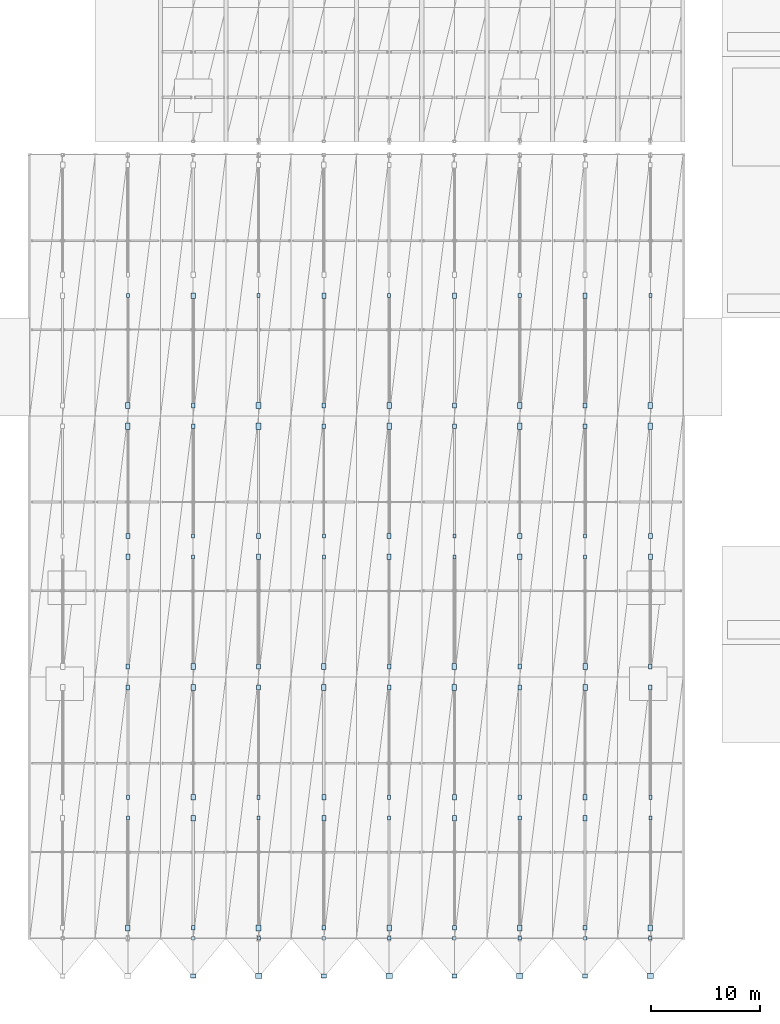
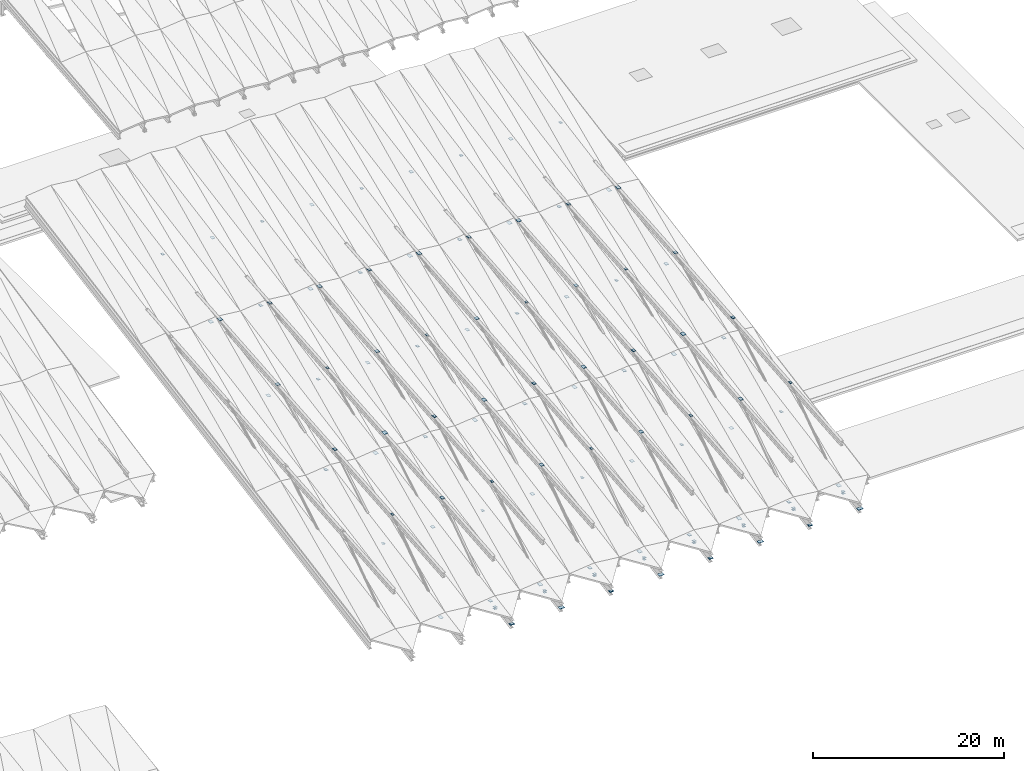
# One storey, part 26 of 52: 114 plates.
"""IFC4 building model written with IfcOpenShell, lengths in metres."""

from ifc_helpers import new_model, si_unit, direction, frame, origin, origin_2d, place, context, subcontext, project, spatial, rectangle, extrude, material, layer, layer_set, type_object, element, save


model = new_model("IFC4")

# Units and contexts
model_context = context("Model", 3, precision=1e-05, world=origin(), true_north=direction((0.0, 1.0)))
body_context = subcontext(model_context, "Body", "Model", "MODEL_VIEW")
ifc_project = project(units=[si_unit("LENGTHUNIT", "METRE"), si_unit("AREAUNIT", "SQUARE_METRE"), si_unit("VOLUMEUNIT", "CUBIC_METRE"), si_unit("PLANEANGLEUNIT", "RADIAN"), si_unit("MASSUNIT", "GRAM", prefix="KILO")], contexts=[model_context])

# Site, building, storey
site_placement = place(None, origin())
site = spatial("IfcSite", under=ifc_project, at=site_placement, CompositionType="ELEMENT")
building_placement = place(site_placement, origin())
building = spatial("IfcBuilding", under=site, at=building_placement, Name="Vaelkrest Opera House", CompositionType="ELEMENT")
storey_placement = place(building_placement, frame((0.0, 0.0, 41.39990234375)))
storey = spatial("IfcBuildingStorey", under=building, at=storey_placement, Name="ROOF", CompositionType="ELEMENT", Elevation=41.39990234375)

# Plates
ifc_material = material(Name="Steel A572 Gr50", Category="steel")
ifc_layer_1 = layer(ifc_material, 0.02392578125)
ifc_layer_set_1 = layer_set([ifc_layer_1], Name="Steel A572 Gr50")
plate_type_1 = type_object("IfcPlateType", Name="GP02", PredefinedType="USERDEFINED", material=ifc_layer_set_1)
for number, where, z_axis, x_axis, name in (
    (1, (-15.0, -59.280029296875, -17.36083984375), (0.0, 0.0, 1.0), (1.0, 0.0, 0.0), "Sawtooth eave node plate KN-V1-05"),
    (2, (-3.0, -59.280029296875, -17.36083984375), (0.0, 0.0, 1.0), (1.0, 0.0, 0.0), "Sawtooth eave node plate KN-V1-09"),
    (3, (9.0, -59.280029296875, -17.36083984375), (0.0, 0.0, 1.0), (1.0, 0.0, 0.0), "Sawtooth eave node plate KN-V1-13"),
    (4, (21.0, -59.280029296875, -17.36083984375), (0.0, 0.0, 1.0), (1.0, 0.0, 0.0), "Sawtooth eave node plate KN-V1-17"),
):
    element("IfcPlate", number, at=place(storey_placement, frame(where, z_axis=z_axis, x_axis=x_axis)), inside=storey, type_object=plate_type_1, Name=name, ObjectType="GUSSET PLATE", PredefinedType="USERDEFINED", context=body_context, shape_type="SweptSolid", body=[
        extrude(rectangle(XDim=0.47998046875, YDim=0.360107421875, at=origin_2d()), origin(), (0.0, 0.0, 1.0), 0.02392578125),
    ])
ifc_layer_2 = layer(ifc_material, 0.031982421875)
ifc_layer_set_2 = layer_set([ifc_layer_2], Name="Steel A572 Gr50")
plate_type_2 = type_object("IfcPlateType", Name="GP04", PredefinedType="USERDEFINED", material=ifc_layer_set_2)
for number, where, z_axis, x_axis, name in (
    (5, (-9.0, -59.280029296875, -17.36474609375), (0.0, 0.0, 1.0), (1.0, 0.0, 0.0), "Sawtooth eave node plate KN-V1-07"),
    (6, (3.0, -59.280029296875, -17.36474609375), (0.0, 0.0, 1.0), (1.0, 0.0, 0.0), "Sawtooth eave node plate KN-V1-11"),
    (7, (15.0, -59.280029296875, -17.36474609375), (0.0, 0.0, 1.0), (1.0, 0.0, 0.0), "Sawtooth eave node plate KN-V1-15"),
    (8, (27.0, -59.280029296875, -17.36474609375), (0.0, 0.0, 1.0), (1.0, 0.0, 0.0), "Sawtooth eave node plate KN-V1-19"),
):
    element("IfcPlate", number, at=place(storey_placement, frame(where, z_axis=z_axis, x_axis=x_axis)), inside=storey, type_object=plate_type_2, Name=name, ObjectType="GUSSET PLATE", PredefinedType="USERDEFINED", context=body_context, shape_type="SweptSolid", body=[
        extrude(rectangle(XDim=0.60009765625, YDim=0.449951171875, at=origin_2d()), origin(), (0.0, 0.0, 1.0), 0.031982421875),
    ])
ifc_layer_3 = layer(ifc_material, 0.01806640625)
ifc_layer_set_3 = layer_set([ifc_layer_3], Name="Steel A572 Gr50")
plate_type_3 = type_object("IfcPlateType", Name="GP09", PredefinedType="USERDEFINED", material=ifc_layer_set_3)
for number, where, z_axis, x_axis, name in (
    (9, (-21.0, -44.760009765625, -10.071044921875), (0.0, 0.0, 1.0), (0.0, 1.0, 0.0), "Truss bottom chord gusset plate KN-V1-03-1B"),
    (10, (-21.0, -42.840087890625, -14.954833984375), (0.0, 0.0, 1.0), (0.0, 1.0, 0.0), "Truss gusset plate KN-V1-03-2"),
    (11, (-21.0, 3.239990234375, -6.014892578125), (0.0, 0.0, 1.0), (0.0, 1.0, 0.0), "Truss bottom chord gusset plate KN-V1-03-5B"),
    (12, (-15.0, -20.760009765625, -8.04296875), (0.0, 0.0, 1.0), (0.0, 1.0, 0.0), "Truss bottom chord gusset plate KN-V1-05-3B"),
    (13, (-15.0, -18.840087890625, -10.662841796875), (0.0, 0.0, 1.0), (0.0, 1.0, 0.0), "Truss gusset plate KN-V1-05-4"),
    (14, (-9.0, -44.760009765625, -10.071044921875), (0.0, 0.0, 1.0), (0.0, 1.0, 0.0), "Truss bottom chord gusset plate KN-V1-07-1B"),
    (15, (-9.0, -42.840087890625, -14.954833984375), (0.0, 0.0, 1.0), (0.0, 1.0, 0.0), "Truss gusset plate KN-V1-07-2"),
    (16, (-9.0, 3.239990234375, -6.014892578125), (0.0, 0.0, 1.0), (0.0, 1.0, 0.0), "Truss bottom chord gusset plate KN-V1-07-5B"),
    (17, (-3.0, -20.760009765625, -8.04296875), (0.0, 0.0, 1.0), (0.0, 1.0, 0.0), "Truss bottom chord gusset plate KN-V1-09-3B"),
    (18, (-3.0, -18.840087890625, -10.662841796875), (0.0, 0.0, 1.0), (0.0, 1.0, 0.0), "Truss gusset plate KN-V1-09-4"),
    (19, (3.0, -44.760009765625, -10.071044921875), (0.0, 0.0, 1.0), (0.0, 1.0, 0.0), "Truss bottom chord gusset plate KN-V1-11-1B"),
    (20, (3.0, -42.840087890625, -14.954833984375), (0.0, 0.0, 1.0), (0.0, 1.0, 0.0), "Truss gusset plate KN-V1-11-2"),
    (21, (3.0, 3.239990234375, -6.014892578125), (0.0, 0.0, 1.0), (0.0, 1.0, 0.0), "Truss bottom chord gusset plate KN-V1-11-5B"),
    (22, (9.0, -20.760009765625, -8.04296875), (0.0, 0.0, 1.0), (0.0, 1.0, 0.0), "Truss bottom chord gusset plate KN-V1-13-3B"),
    (23, (9.0, -18.840087890625, -10.662841796875), (0.0, 0.0, 1.0), (0.0, 1.0, 0.0), "Truss gusset plate KN-V1-13-4"),
    (24, (15.0, -44.760009765625, -10.071044921875), (0.0, 0.0, 1.0), (0.0, 1.0, 0.0), "Truss bottom chord gusset plate KN-V1-15-1B"),
    (25, (15.0, -42.840087890625, -14.954833984375), (0.0, 0.0, 1.0), (0.0, 1.0, 0.0), "Truss gusset plate KN-V1-15-2"),
    (26, (15.0, 3.239990234375, -6.014892578125), (0.0, 0.0, 1.0), (0.0, 1.0, 0.0), "Truss bottom chord gusset plate KN-V1-15-5B"),
    (27, (21.0, -20.760009765625, -8.04296875), (0.0, 0.0, 1.0), (0.0, 1.0, 0.0), "Truss bottom chord gusset plate KN-V1-17-3B"),
    (28, (21.0, -18.840087890625, -10.662841796875), (0.0, 0.0, 1.0), (0.0, 1.0, 0.0), "Truss gusset plate KN-V1-17-4"),
    (29, (27.0, -44.760009765625, -10.071044921875), (0.0, 0.0, 1.0), (0.0, 1.0, 0.0), "Truss bottom chord gusset plate KN-V1-19-1B"),
    (30, (27.0, -42.840087890625, -14.954833984375), (0.0, 0.0, 1.0), (0.0, 1.0, 0.0), "Truss gusset plate KN-V1-19-2"),
    (31, (27.0, 3.239990234375, -6.014892578125), (0.0, 0.0, 1.0), (0.0, 1.0, 0.0), "Truss bottom chord gusset plate KN-V1-19-5B"),
):
    element("IfcPlate", number, at=place(storey_placement, frame(where, z_axis=z_axis, x_axis=x_axis)), inside=storey, type_object=plate_type_3, Name=name, ObjectType="GUSSET PLATE", PredefinedType="USERDEFINED", context=body_context, shape_type="SweptSolid", body=[
        extrude(rectangle(XDim=0.3798828125, YDim=0.280029296875, at=origin_2d()), origin(), (0.0, 0.0, 1.0), 0.01806640625),
    ])
ifc_layer_4 = layer(ifc_material, 0.02197265625)
ifc_layer_set_4 = layer_set([ifc_layer_4], Name="Steel A572 Gr50")
plate_type_4 = type_object("IfcPlateType", Name="GP10", PredefinedType="USERDEFINED", material=ifc_layer_set_4)
for number, where, z_axis, x_axis, name in (
    (32, (-21.0, -32.760009765625, -9.058837890625), (0.0, 0.0, 1.0), (0.0, 1.0, 0.0), "Truss bottom chord gusset plate KN-V1-03-2B"),
    (33, (-21.0, -30.840087890625, -12.810791015625), (0.0, 0.0, 1.0), (0.0, 1.0, 0.0), "Truss gusset plate KN-V1-03-3"),
    (34, (-15.0, -54.840087890625, -17.102783203125), (0.0, 0.0, 1.0), (0.0, 1.0, 0.0), "Truss gusset plate KN-V1-05-1"),
    (35, (-15.0, -8.760009765625, -7.031005859375), (0.0, 0.0, 1.0), (0.0, 1.0, 0.0), "Truss bottom chord gusset plate KN-V1-05-4B"),
    (36, (-15.0, -6.840087890625, -8.518798828125), (0.0, 0.0, 1.0), (0.0, 1.0, 0.0), "Truss gusset plate KN-V1-05-5"),
    (37, (-9.0, -32.760009765625, -9.058837890625), (0.0, 0.0, 1.0), (0.0, 1.0, 0.0), "Truss bottom chord gusset plate KN-V1-07-2B"),
    (38, (-9.0, -30.840087890625, -12.810791015625), (0.0, 0.0, 1.0), (0.0, 1.0, 0.0), "Truss gusset plate KN-V1-07-3"),
    (39, (-3.0, -54.840087890625, -17.102783203125), (0.0, 0.0, 1.0), (0.0, 1.0, 0.0), "Truss gusset plate KN-V1-09-1"),
    (40, (-3.0, -8.760009765625, -7.031005859375), (0.0, 0.0, 1.0), (0.0, 1.0, 0.0), "Truss bottom chord gusset plate KN-V1-09-4B"),
    (41, (-3.0, -6.840087890625, -8.518798828125), (0.0, 0.0, 1.0), (0.0, 1.0, 0.0), "Truss gusset plate KN-V1-09-5"),
    (42, (3.0, -32.760009765625, -9.058837890625), (0.0, 0.0, 1.0), (0.0, 1.0, 0.0), "Truss bottom chord gusset plate KN-V1-11-2B"),
    (43, (3.0, -30.840087890625, -12.810791015625), (0.0, 0.0, 1.0), (0.0, 1.0, 0.0), "Truss gusset plate KN-V1-11-3"),
    (44, (9.0, -54.840087890625, -17.102783203125), (0.0, 0.0, 1.0), (0.0, 1.0, 0.0), "Truss gusset plate KN-V1-13-1"),
    (45, (9.0, -8.760009765625, -7.031005859375), (0.0, 0.0, 1.0), (0.0, 1.0, 0.0), "Truss bottom chord gusset plate KN-V1-13-4B"),
    (46, (9.0, -6.840087890625, -8.518798828125), (0.0, 0.0, 1.0), (0.0, 1.0, 0.0), "Truss gusset plate KN-V1-13-5"),
    (47, (15.0, -32.760009765625, -9.058837890625), (0.0, 0.0, 1.0), (0.0, 1.0, 0.0), "Truss bottom chord gusset plate KN-V1-15-2B"),
    (48, (15.0, -30.840087890625, -12.810791015625), (0.0, 0.0, 1.0), (0.0, 1.0, 0.0), "Truss gusset plate KN-V1-15-3"),
    (49, (21.0, -54.840087890625, -17.102783203125), (0.0, 0.0, 1.0), (0.0, 1.0, 0.0), "Truss gusset plate KN-V1-17-1"),
    (50, (21.0, -8.760009765625, -7.031005859375), (0.0, 0.0, 1.0), (0.0, 1.0, 0.0), "Truss bottom chord gusset plate KN-V1-17-4B"),
    (51, (21.0, -6.840087890625, -8.518798828125), (0.0, 0.0, 1.0), (0.0, 1.0, 0.0), "Truss gusset plate KN-V1-17-5"),
    (52, (27.0, -32.760009765625, -9.058837890625), (0.0, 0.0, 1.0), (0.0, 1.0, 0.0), "Truss bottom chord gusset plate KN-V1-19-2B"),
    (53, (27.0, -30.840087890625, -12.810791015625), (0.0, 0.0, 1.0), (0.0, 1.0, 0.0), "Truss gusset plate KN-V1-19-3"),
):
    element("IfcPlate", number, at=place(storey_placement, frame(where, z_axis=z_axis, x_axis=x_axis)), inside=storey, type_object=plate_type_4, Name=name, ObjectType="GUSSET PLATE", PredefinedType="USERDEFINED", context=body_context, shape_type="SweptSolid", body=[
        extrude(rectangle(XDim=0.43994140625, YDim=0.340087890625, at=origin_2d()), origin(), (0.0, 0.0, 1.0), 0.02197265625),
    ])
ifc_layer_5 = layer(ifc_material, 0.02587890625)
ifc_layer_set_5 = layer_set([ifc_layer_5], Name="Steel A572 Gr50")
plate_type_5 = type_object("IfcPlateType", Name="GP11", PredefinedType="USERDEFINED", material=ifc_layer_set_5)
for number, where, z_axis, x_axis, name in (
    (54, (-21.0, -20.760009765625, -8.046875), (0.0, 0.0, 1.0), (0.0, 1.0, 0.0), "Truss bottom chord gusset plate KN-V1-03-3B"),
    (55, (-21.0, -18.840087890625, -10.666748046875), (0.0, 0.0, 1.0), (0.0, 1.0, 0.0), "Truss gusset plate KN-V1-03-4"),
    (56, (-15.0, -44.760009765625, -10.074951171875), (0.0, 0.0, 1.0), (0.0, 1.0, 0.0), "Truss bottom chord gusset plate KN-V1-05-1B"),
    (57, (-15.0, -42.840087890625, -14.958740234375), (0.0, 0.0, 1.0), (0.0, 1.0, 0.0), "Truss gusset plate KN-V1-05-2"),
    (58, (-15.0, 3.239990234375, -6.018798828125), (0.0, 0.0, 1.0), (0.0, 1.0, 0.0), "Truss bottom chord gusset plate KN-V1-05-5B"),
    (59, (-9.0, -20.760009765625, -8.046875), (0.0, 0.0, 1.0), (0.0, 1.0, 0.0), "Truss bottom chord gusset plate KN-V1-07-3B"),
    (60, (-9.0, -18.840087890625, -10.666748046875), (0.0, 0.0, 1.0), (0.0, 1.0, 0.0), "Truss gusset plate KN-V1-07-4"),
    (61, (-3.0, -44.760009765625, -10.074951171875), (0.0, 0.0, 1.0), (0.0, 1.0, 0.0), "Truss bottom chord gusset plate KN-V1-09-1B"),
    (62, (-3.0, -42.840087890625, -14.958740234375), (0.0, 0.0, 1.0), (0.0, 1.0, 0.0), "Truss gusset plate KN-V1-09-2"),
    (63, (-3.0, 3.239990234375, -6.018798828125), (0.0, 0.0, 1.0), (0.0, 1.0, 0.0), "Truss bottom chord gusset plate KN-V1-09-5B"),
    (64, (3.0, -20.760009765625, -8.046875), (0.0, 0.0, 1.0), (0.0, 1.0, 0.0), "Truss bottom chord gusset plate KN-V1-11-3B"),
    (65, (3.0, -18.840087890625, -10.666748046875), (0.0, 0.0, 1.0), (0.0, 1.0, 0.0), "Truss gusset plate KN-V1-11-4"),
    (66, (9.0, -44.760009765625, -10.074951171875), (0.0, 0.0, 1.0), (0.0, 1.0, 0.0), "Truss bottom chord gusset plate KN-V1-13-1B"),
    (67, (9.0, -42.840087890625, -14.958740234375), (0.0, 0.0, 1.0), (0.0, 1.0, 0.0), "Truss gusset plate KN-V1-13-2"),
    (68, (9.0, 3.239990234375, -6.018798828125), (0.0, 0.0, 1.0), (0.0, 1.0, 0.0), "Truss bottom chord gusset plate KN-V1-13-5B"),
    (69, (15.0, -20.760009765625, -8.046875), (0.0, 0.0, 1.0), (0.0, 1.0, 0.0), "Truss bottom chord gusset plate KN-V1-15-3B"),
    (70, (15.0, -18.840087890625, -10.666748046875), (0.0, 0.0, 1.0), (0.0, 1.0, 0.0), "Truss gusset plate KN-V1-15-4"),
    (71, (21.0, -44.760009765625, -10.074951171875), (0.0, 0.0, 1.0), (0.0, 1.0, 0.0), "Truss bottom chord gusset plate KN-V1-17-1B"),
    (72, (21.0, -42.840087890625, -14.958740234375), (0.0, 0.0, 1.0), (0.0, 1.0, 0.0), "Truss gusset plate KN-V1-17-2"),
    (73, (21.0, 3.239990234375, -6.018798828125), (0.0, 0.0, 1.0), (0.0, 1.0, 0.0), "Truss bottom chord gusset plate KN-V1-17-5B"),
    (74, (27.0, -20.760009765625, -8.046875), (0.0, 0.0, 1.0), (0.0, 1.0, 0.0), "Truss bottom chord gusset plate KN-V1-19-3B"),
    (75, (27.0, -18.840087890625, -10.666748046875), (0.0, 0.0, 1.0), (0.0, 1.0, 0.0), "Truss gusset plate KN-V1-19-4"),
):
    element("IfcPlate", number, at=place(storey_placement, frame(where, z_axis=z_axis, x_axis=x_axis)), inside=storey, type_object=plate_type_5, Name=name, ObjectType="GUSSET PLATE", PredefinedType="USERDEFINED", context=body_context, shape_type="SweptSolid", body=[
        extrude(rectangle(XDim=0.5, YDim=0.3798828125, at=origin_2d()), origin(), (0.0, 0.0, 1.0), 0.02587890625),
    ])
ifc_layer_6 = layer(ifc_material, 0.030029296875)
ifc_layer_set_6 = layer_set([ifc_layer_6], Name="Steel A572 Gr50")
plate_type_6 = type_object("IfcPlateType", Name="GP12", PredefinedType="USERDEFINED", material=ifc_layer_set_6)
for number, where, z_axis, x_axis, name in (
    (76, (-21.0, -54.840087890625, -17.10693359375), (0.0, 0.0, 1.0), (0.0, 1.0, 0.0), "Truss gusset plate KN-V1-03-1"),
    (77, (-21.0, -8.760009765625, -7.03515625), (0.0, 0.0, 1.0), (0.0, 1.0, 0.0), "Truss bottom chord gusset plate KN-V1-03-4B"),
    (78, (-21.0, -6.840087890625, -8.52294921875), (0.0, 0.0, 1.0), (0.0, 1.0, 0.0), "Truss gusset plate KN-V1-03-5"),
    (79, (-15.0, -32.760009765625, -9.06298828125), (0.0, 0.0, 1.0), (0.0, 1.0, 0.0), "Truss bottom chord gusset plate KN-V1-05-2B"),
    (80, (-15.0, -30.840087890625, -12.81494140625), (0.0, 0.0, 1.0), (0.0, 1.0, 0.0), "Truss gusset plate KN-V1-05-3"),
    (81, (-9.0, -54.840087890625, -17.10693359375), (0.0, 0.0, 1.0), (0.0, 1.0, 0.0), "Truss gusset plate KN-V1-07-1"),
    (82, (-9.0, -8.760009765625, -7.03515625), (0.0, 0.0, 1.0), (0.0, 1.0, 0.0), "Truss bottom chord gusset plate KN-V1-07-4B"),
    (83, (-9.0, -6.840087890625, -8.52294921875), (0.0, 0.0, 1.0), (0.0, 1.0, 0.0), "Truss gusset plate KN-V1-07-5"),
    (84, (-3.0, -32.760009765625, -9.06298828125), (0.0, 0.0, 1.0), (0.0, 1.0, 0.0), "Truss bottom chord gusset plate KN-V1-09-2B"),
    (85, (-3.0, -30.840087890625, -12.81494140625), (0.0, 0.0, 1.0), (0.0, 1.0, 0.0), "Truss gusset plate KN-V1-09-3"),
    (86, (3.0, -54.840087890625, -17.10693359375), (0.0, 0.0, 1.0), (0.0, 1.0, 0.0), "Truss gusset plate KN-V1-11-1"),
    (87, (3.0, -8.760009765625, -7.03515625), (0.0, 0.0, 1.0), (0.0, 1.0, 0.0), "Truss bottom chord gusset plate KN-V1-11-4B"),
    (88, (3.0, -6.840087890625, -8.52294921875), (0.0, 0.0, 1.0), (0.0, 1.0, 0.0), "Truss gusset plate KN-V1-11-5"),
    (89, (9.0, -32.760009765625, -9.06298828125), (0.0, 0.0, 1.0), (0.0, 1.0, 0.0), "Truss bottom chord gusset plate KN-V1-13-2B"),
    (90, (9.0, -30.840087890625, -12.81494140625), (0.0, 0.0, 1.0), (0.0, 1.0, 0.0), "Truss gusset plate KN-V1-13-3"),
    (91, (15.0, -54.840087890625, -17.10693359375), (0.0, 0.0, 1.0), (0.0, 1.0, 0.0), "Truss gusset plate KN-V1-15-1"),
    (92, (15.0, -8.760009765625, -7.03515625), (0.0, 0.0, 1.0), (0.0, 1.0, 0.0), "Truss bottom chord gusset plate KN-V1-15-4B"),
    (93, (15.0, -6.840087890625, -8.52294921875), (0.0, 0.0, 1.0), (0.0, 1.0, 0.0), "Truss gusset plate KN-V1-15-5"),
    (94, (21.0, -32.760009765625, -9.06298828125), (0.0, 0.0, 1.0), (0.0, 1.0, 0.0), "Truss bottom chord gusset plate KN-V1-17-2B"),
    (95, (21.0, -30.840087890625, -12.81494140625), (0.0, 0.0, 1.0), (0.0, 1.0, 0.0), "Truss gusset plate KN-V1-17-3"),
    (96, (27.0, -54.840087890625, -17.10693359375), (0.0, 0.0, 1.0), (0.0, 1.0, 0.0), "Truss gusset plate KN-V1-19-1"),
    (97, (27.0, -8.760009765625, -7.03515625), (0.0, 0.0, 1.0), (0.0, 1.0, 0.0), "Truss bottom chord gusset plate KN-V1-19-4B"),
    (98, (27.0, -6.840087890625, -8.52294921875), (0.0, 0.0, 1.0), (0.0, 1.0, 0.0), "Truss gusset plate KN-V1-19-5"),
):
    element("IfcPlate", number, at=place(storey_placement, frame(where, z_axis=z_axis, x_axis=x_axis)), inside=storey, type_object=plate_type_6, Name=name, ObjectType="GUSSET PLATE", PredefinedType="USERDEFINED", context=body_context, shape_type="SweptSolid", body=[
        extrude(rectangle(XDim=0.56005859375, YDim=0.419921875, at=origin_2d()), origin(), (0.0, 0.0, 1.0), 0.030029296875),
    ])
ifc_layer_7 = layer(ifc_material, 0.01611328125)
ifc_layer_set_7 = layer_set([ifc_layer_7], Name="Steel A572 Gr50")
plate_type_7 = type_object("IfcPlateType", Name="GP15", PredefinedType="USERDEFINED", material=ifc_layer_set_7)
for number, where, z_axis, x_axis, name in (
    (99, (-15.0, -55.800048828125, -17.510009765625), (0.0, 0.0, 1.0), (1.0, 0.0, 0.0), "Saddle post end plate V1-S-05-B"),
    (100, (-15.0, -55.800048828125, -17.27197265625), (0.0, 0.0, 1.0), (1.0, 0.0, 0.0), "Saddle post end plate V1-S-05-T"),
    (101, (-9.0, -55.800048828125, -17.510009765625), (0.0, 0.0, 1.0), (1.0, 0.0, 0.0), "Saddle post end plate V1-S-07-B"),
    (102, (-9.0, -55.800048828125, -17.27197265625), (0.0, 0.0, 1.0), (1.0, 0.0, 0.0), "Saddle post end plate V1-S-07-T"),
    (103, (-3.0, -55.800048828125, -17.510009765625), (0.0, 0.0, 1.0), (1.0, 0.0, 0.0), "Saddle post end plate V1-S-09-B"),
    (104, (-3.0, -55.800048828125, -17.27197265625), (0.0, 0.0, 1.0), (1.0, 0.0, 0.0), "Saddle post end plate V1-S-09-T"),
    (105, (3.0, -55.800048828125, -17.510009765625), (0.0, 0.0, 1.0), (1.0, 0.0, 0.0), "Saddle post end plate V1-S-11-B"),
    (106, (3.0, -55.800048828125, -17.27197265625), (0.0, 0.0, 1.0), (1.0, 0.0, 0.0), "Saddle post end plate V1-S-11-T"),
    (107, (9.0, -55.800048828125, -17.510009765625), (0.0, 0.0, 1.0), (1.0, 0.0, 0.0), "Saddle post end plate V1-S-13-B"),
    (108, (9.0, -55.800048828125, -17.27197265625), (0.0, 0.0, 1.0), (1.0, 0.0, 0.0), "Saddle post end plate V1-S-13-T"),
    (109, (15.0, -55.800048828125, -17.510009765625), (0.0, 0.0, 1.0), (1.0, 0.0, 0.0), "Saddle post end plate V1-S-15-B"),
    (110, (15.0, -55.800048828125, -17.27197265625), (0.0, 0.0, 1.0), (1.0, 0.0, 0.0), "Saddle post end plate V1-S-15-T"),
    (111, (21.0, -55.800048828125, -17.510009765625), (0.0, 0.0, 1.0), (1.0, 0.0, 0.0), "Saddle post end plate V1-S-17-B"),
    (112, (21.0, -55.800048828125, -17.27197265625), (0.0, 0.0, 1.0), (1.0, 0.0, 0.0), "Saddle post end plate V1-S-17-T"),
    (113, (27.0, -55.800048828125, -17.510009765625), (0.0, 0.0, 1.0), (1.0, 0.0, 0.0), "Saddle post end plate V1-S-19-B"),
    (114, (27.0, -55.800048828125, -17.27197265625), (0.0, 0.0, 1.0), (1.0, 0.0, 0.0), "Saddle post end plate V1-S-19-T"),
):
    element("IfcPlate", number, at=place(storey_placement, frame(where, z_axis=z_axis, x_axis=x_axis)), inside=storey, type_object=plate_type_7, Name=name, ObjectType="GUSSET PLATE", PredefinedType="USERDEFINED", context=body_context, shape_type="SweptSolid", body=[
        extrude(rectangle(XDim=0.320068359375, YDim=0.320068359375, at=origin_2d()), origin(), (0.0, 0.0, 1.0), 0.01611328125),
    ])

save(model, "model.ifc")
